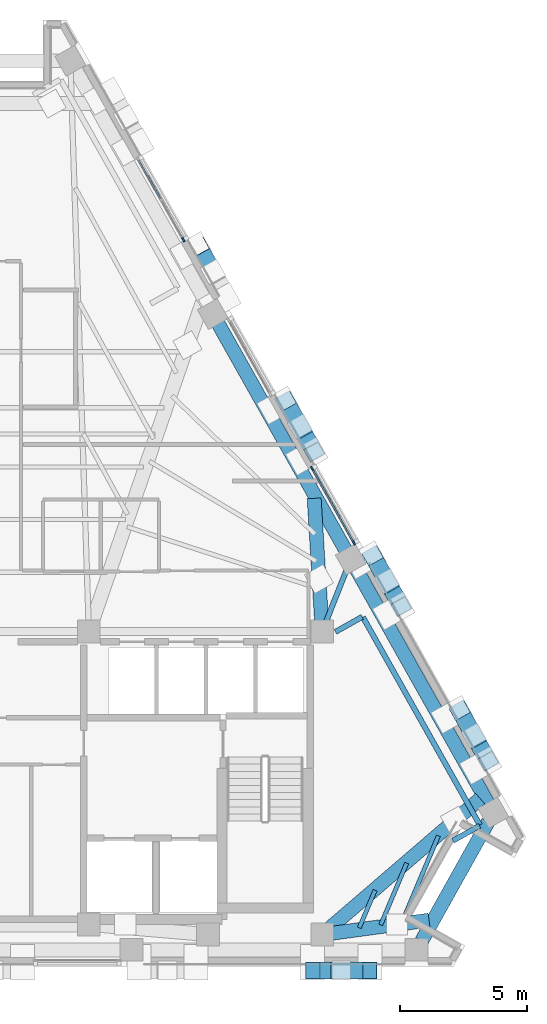
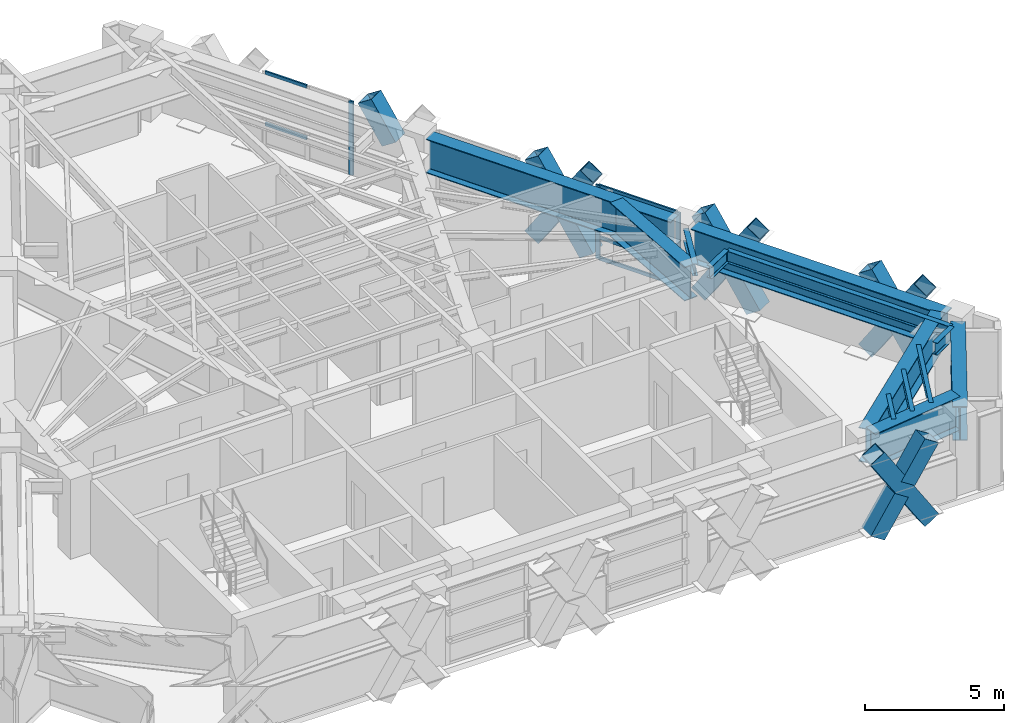
# One storey, part 5 of 13: 21 members, 13 beams, 2 elements without a shape of their own.
"""IFC4 building model written with IfcOpenShell, lengths in metres."""

from ifc_helpers import new_model, si_unit, direction, frame, origin, origin_2d, place, context, subcontext, project, spatial, rectangle, hollow_rectangle, i_section, extrude, material, material_profile, profile_set, type_object, element, aggregate, save


model = new_model("IFC4")

# Units and contexts
model_context = context("Model", 3, precision=1e-05, world=origin(), true_north=direction((0.0, 1.0)))
body_context = subcontext(model_context, "Body", "Model", "MODEL_VIEW")
ifc_project = project(units=[si_unit("LENGTHUNIT", "METRE"), si_unit("AREAUNIT", "SQUARE_METRE"), si_unit("VOLUMEUNIT", "CUBIC_METRE"), si_unit("PLANEANGLEUNIT", "RADIAN"), si_unit("MASSUNIT", "GRAM", prefix="KILO")], contexts=[model_context])

# Site, building, storey
site_placement = place(None, origin())
site = spatial("IfcSite", under=ifc_project, at=site_placement, CompositionType="ELEMENT")
building_placement = place(site_placement, origin())
building = spatial("IfcBuilding", under=site, at=building_placement, Name="Quenlor Broadcast Tower", CompositionType="ELEMENT")
storey_placement = place(building_placement, frame((0.0, 0.0, 225.39990234375)))
storey = spatial("IfcBuildingStorey", under=building, at=storey_placement, Name="L62", CompositionType="ELEMENT", Elevation=225.39990234375)

# Curtain wall, member
ifc_material_1 = material(Name="Architectural Terracotta and Low-E Glazing", Category="masonry")
curtain_wall_type = type_object("IfcCurtainWallType", Name="Unitised Terracotta Curtain Wall System Z4", PredefinedType="NOTDEFINED", material=ifc_material_1)
curtain_wall_1_placement = place(storey_placement, origin())
curtain_wall_1 = element("IfcCurtainWall", 1, at=curtain_wall_1_placement, inside=storey, type_object=curtain_wall_type, Name="L62 Curtain Wall CW4 (L62-NEA-G1)", PredefinedType="NOTDEFINED")
ifc_material_2 = material(Name="Aluminium 6063-T6", Category="aluminium")
ifc_material_profile_1 = material_profile(ifc_material_2, rectangle(XDim=0.068115234375, YDim=0.179931640625, at=origin_2d()))
ifc_profile_set_1 = profile_set([ifc_material_profile_1], Name="Aluminium 6063-T6 MULL68x180")
member_type_1 = type_object("IfcMemberType", Name="CW4 Aluminium Mullion MULL_CW4", PredefinedType="MULLION", material=ifc_profile_set_1)
member_1_placement = place(storey_placement, frame((7.477294921875, 10.64794921875, 0.0), z_axis=(0.0, 0.0, 1.0), x_axis=(0.871576257465, 0.490259959025, 0.0)))
member_1 = element("IfcMember", 2, at=member_1_placement, type_object=member_type_1, Name="CW4 mullion 3", PredefinedType="MULLION", context=body_context, shape_type="SweptSolid", body=[
    extrude(rectangle(XDim=0.068115234375, YDim=0.179931640625, at=origin_2d()), origin(), (0.0, 0.0, 1.0), 3.25),
])

# Curtain wall, members
curtain_wall_2_placement = place(storey_placement, origin())
curtain_wall_2 = element("IfcCurtainWall", 3, at=curtain_wall_2_placement, inside=storey, type_object=curtain_wall_type, Name="L62 Curtain Wall CW4 (L62-NE-G2)", PredefinedType="NOTDEFINED")
member_2_placement = place(storey_placement, frame((12.55126953125, 1.627685546875, 0.0), z_axis=(0.0, 0.0, 1.0), x_axis=(0.871577871382, 0.490257089819, 0.0)))
member_2 = element("IfcMember", 4, at=member_2_placement, type_object=member_type_1, Name="CW4 mullion 1", PredefinedType="MULLION", context=body_context, shape_type="SweptSolid", body=[
    extrude(rectangle(XDim=0.068115234375, YDim=0.179931640625, at=origin_2d()), origin(), (0.0, 0.0, 1.0), 3.25),
])
member_3_placement = place(storey_placement, frame((14.20068359375, -1.3046875, 0.0), z_axis=(0.0, 0.0, 1.0), x_axis=(0.871577871382, 0.490257089819, 0.0)))
member_3 = element("IfcMember", 5, at=member_3_placement, type_object=member_type_1, Name="CW4 mullion 2", PredefinedType="MULLION", context=body_context, shape_type="SweptSolid", body=[
    extrude(rectangle(XDim=0.068115234375, YDim=0.179931640625, at=origin_2d()), origin(), (0.0, 0.0, 1.0), 3.25),
])

# Member
ifc_material_3 = material(Name="Aluminium 6063-T6", Category="aluminium")
ifc_material_profile_2 = material_profile(ifc_material_3, rectangle(XDim=0.068115234375, YDim=0.14990234375, at=origin_2d()))
ifc_profile_set_2 = profile_set([ifc_material_profile_2], Name="Aluminium 6063-T6 TRAN68x150")
member_type_2 = type_object("IfcMemberType", Name="CW4 Aluminium Transom TRAN_CW4", PredefinedType="USERDEFINED", material=ifc_profile_set_2)
member_4_placement = place(storey_placement, frame((5.709716796875, 13.790283203125, 0.9501953125), z_axis=(0.490334029137, -0.871534589027, 0.0), x_axis=(0.871534589027, 0.490334029137, 0.0)))
member_4 = element("IfcMember", 6, at=member_4_placement, type_object=member_type_2, Name="CW4 transom 1.2", ObjectType="TRANSOM", PredefinedType="USERDEFINED", context=body_context, shape_type="SweptSolid", body=[
    extrude(rectangle(XDim=0.068115234375, YDim=0.14990234375, at=origin_2d()), origin(), (0.0, 0.0, 1.0), 1.751708984375),
])

member_5_placement = place(storey_placement, frame((5.709716796875, 13.790283203125, 3.216064453125), z_axis=(0.490334029137, -0.871534589027, 0.0), x_axis=(0.871534589027, 0.490334029137, 0.0)))
member_5 = element("IfcMember", 7, at=member_5_placement, type_object=member_type_2, Name="CW4 transom 1.3", ObjectType="TRANSOM", PredefinedType="USERDEFINED", context=body_context, shape_type="SweptSolid", body=[
    extrude(rectangle(XDim=0.068115234375, YDim=0.14990234375, at=origin_2d()), origin(), (0.0, 0.0, 1.0), 1.751708984375),
])

aggregate(curtain_wall_1, [member_1, member_4, member_5])

member_6_placement = place(storey_placement, frame((12.568115234375, 1.597900390625, 0.0341796875), z_axis=(0.490233108043, -0.871591360546, 0.0), x_axis=(0.871591360546, 0.490233108043, 0.0)))
member_6 = element("IfcMember", 8, at=member_6_placement, type_object=member_type_2, Name="CW4 transom 1.1", ObjectType="TRANSOM", PredefinedType="USERDEFINED", context=body_context, shape_type="SweptSolid", body=[
    extrude(rectangle(XDim=0.068115234375, YDim=0.14990234375, at=origin_2d()), origin(), (0.0, 0.0, 1.0), 3.29638671875),
])

member_7_placement = place(storey_placement, frame((12.568115234375, 1.597900390625, 0.9501953125), z_axis=(0.490233108043, -0.871591360546, 0.0), x_axis=(0.871591360546, 0.490233108043, 0.0)))
member_7 = element("IfcMember", 9, at=member_7_placement, type_object=member_type_2, Name="CW4 transom 1.2", ObjectType="TRANSOM", PredefinedType="USERDEFINED", context=body_context, shape_type="SweptSolid", body=[
    extrude(rectangle(XDim=0.068115234375, YDim=0.14990234375, at=origin_2d()), origin(), (0.0, 0.0, 1.0), 3.29638671875),
])

member_8_placement = place(storey_placement, frame((12.568115234375, 1.597900390625, 3.216064453125), z_axis=(0.490233108043, -0.871591360546, 0.0), x_axis=(0.871591360546, 0.490233108043, 0.0)))
member_8 = element("IfcMember", 10, at=member_8_placement, type_object=member_type_2, Name="CW4 transom 1.3", ObjectType="TRANSOM", PredefinedType="USERDEFINED", context=body_context, shape_type="SweptSolid", body=[
    extrude(rectangle(XDim=0.068115234375, YDim=0.14990234375, at=origin_2d()), origin(), (0.0, 0.0, 1.0), 3.29638671875),
])

aggregate(curtain_wall_2, [member_2, member_3, member_6, member_7, member_8])

# Members
ifc_material_4 = material(Name="Steel S355", Category="steel")
ifc_material_profile_3 = material_profile(ifc_material_4, hollow_rectangle(XDim=0.679931640625, YDim=0.679931640625, WallThickness=0.02490234375, at=origin_2d()))
ifc_profile_set_3 = profile_set([ifc_material_profile_3], Name="Steel S355 RHS680x680x25")
member_type_3 = type_object("IfcMemberType", Name="Perimeter Diagonal Lattice Brace Z3-Z4 Steel S355 RHS680x25", PredefinedType="BRACE", material=ifc_profile_set_3)
member_9_placement = place(storey_placement, frame((14.828857421875, -18.169921875, -0.119873046875), z_axis=(-0.541794306908, 0.0, 0.840511111766), x_axis=(0.0, -1.0, 0.0)))
element("IfcMember", 11, at=member_9_placement, inside=storey, type_object=member_type_3, Name="L62 Perimeter Diamond Lattice S-C1XA", PredefinedType="BRACE", context=body_context, shape_type="SweptSolid", body=[
    extrude(hollow_rectangle(XDim=0.679931640625, YDim=0.679931640625, WallThickness=0.02490234375, at=origin_2d()), origin(), (0.0, 0.0, 1.0), 4.1640625),
])
member_10_placement = place(storey_placement, frame((12.57275390625, -18.169921875, -0.119873046875), z_axis=(0.54184151587, 0.0, 0.840480678945), x_axis=(0.0, 1.0, 0.0)))
element("IfcMember", 12, at=member_10_placement, inside=storey, type_object=member_type_3, Name="L62 Perimeter Diamond Lattice S-C1XB1", PredefinedType="BRACE", context=body_context, shape_type="SweptSolid", body=[
    extrude(hollow_rectangle(XDim=0.679931640625, YDim=0.679931640625, WallThickness=0.02490234375, at=origin_2d()), origin(), (0.0, 0.0, 1.0), 1.83203125),
])
member_11_placement = place(storey_placement, frame((13.836181640625, -18.169921875, 1.840087890625), z_axis=(0.541780832962, 0.0, 0.840519796932), x_axis=(0.0, 1.0, 0.0)))
element("IfcMember", 13, at=member_11_placement, inside=storey, type_object=member_type_3, Name="L62 Perimeter Diamond Lattice S-C1XB2", PredefinedType="BRACE", context=body_context, shape_type="SweptSolid", body=[
    extrude(hollow_rectangle(XDim=0.679931640625, YDim=0.679931640625, WallThickness=0.02490234375, at=origin_2d()), origin(), (0.0, 0.0, 1.0), 1.832275390625),
])
member_12_placement = place(storey_placement, frame((8.57666015625, 9.499267578125, 1.8388671875), z_axis=(-0.269535527865, 0.479130165145, 0.835335192642), x_axis=(-0.871556252289, -0.490295522207, 0.0)))
element("IfcMember", 14, at=member_12_placement, inside=storey, type_object=member_type_3, Name="L62 Perimeter Diamond Lattice NE-C2XB2", PredefinedType="BRACE", context=body_context, shape_type="SweptSolid", body=[
    extrude(hollow_rectangle(XDim=0.679931640625, YDim=0.679931640625, WallThickness=0.02490234375, at=origin_2d()), origin(), (0.0, 0.0, 1.0), 1.844970703125),
])
member_13_placement = place(storey_placement, frame((11.508544921875, 4.287109375, -0.119873046875), z_axis=(0.269493020061, -0.479144022478, 0.835340959047), x_axis=(0.871595351467, 0.490226012469, 0.0)))
element("IfcMember", 15, at=member_13_placement, inside=storey, type_object=member_type_3, Name="L62 Perimeter Diamond Lattice NE-C3XA", PredefinedType="BRACE", context=body_context, shape_type="SweptSolid", body=[
    extrude(hollow_rectangle(XDim=0.679931640625, YDim=0.679931640625, WallThickness=0.02490234375, at=origin_2d()), origin(), (0.0, 0.0, 1.0), 4.18994140625),
])
for number, where, z_axis, x_axis, name in (
    (16, (12.6376953125, 2.279541015625, -0.119873046875), (-0.269535527865, 0.479130165145, 0.835335192642), (-0.871556252289, -0.490295522207, 0.0), "L62 Perimeter Diamond Lattice NE-C3XB1"),
    (17, (12.005859375, 3.403076171875, 1.8388671875), (-0.269535527865, 0.479130165145, 0.835335192642), (-0.871556252289, -0.490295522207, 0.0), "L62 Perimeter Diamond Lattice NE-C3XB2"),
):
    element("IfcMember", number, at=place(storey_placement, frame(where, z_axis=z_axis, x_axis=x_axis)), inside=storey, type_object=member_type_3, Name=name, PredefinedType="BRACE", context=body_context, shape_type="SweptSolid", body=[
        extrude(hollow_rectangle(XDim=0.679931640625, YDim=0.679931640625, WallThickness=0.02490234375, at=origin_2d()), origin(), (0.0, 0.0, 1.0), 1.844970703125),
    ])
member_14_placement = place(storey_placement, frame((14.9375, -1.80908203125, -0.119873046875), z_axis=(0.269547055694, -0.479136497832, 0.835327840559), x_axis=(0.871550060774, 0.49030652817, 0.0)))
element("IfcMember", 18, at=member_14_placement, inside=storey, type_object=member_type_3, Name="L62 Perimeter Diamond Lattice NE-C4XA", PredefinedType="BRACE", context=body_context, shape_type="SweptSolid", body=[
    extrude(hollow_rectangle(XDim=0.679931640625, YDim=0.679931640625, WallThickness=0.02490234375, at=origin_2d()), origin(), (0.0, 0.0, 1.0), 4.18994140625),
])
for number, where, z_axis, x_axis, name in (
    (19, (16.06689453125, -3.816650390625, -0.119873046875), (-0.269535527865, 0.479130165145, 0.835335192642), (-0.871556252289, -0.490295522207, 0.0), "L62 Perimeter Diamond Lattice NE-C4XB1"),
    (20, (15.434814453125, -2.693115234375, 1.8388671875), (-0.269535527865, 0.479130165145, 0.835335192642), (-0.871556252289, -0.490295522207, 0.0), "L62 Perimeter Diamond Lattice NE-C4XB2"),
):
    element("IfcMember", number, at=place(storey_placement, frame(where, z_axis=z_axis, x_axis=x_axis)), inside=storey, type_object=member_type_3, Name=name, PredefinedType="BRACE", context=body_context, shape_type="SweptSolid", body=[
        extrude(hollow_rectangle(XDim=0.679931640625, YDim=0.679931640625, WallThickness=0.02490234375, at=origin_2d()), origin(), (0.0, 0.0, 1.0), 1.844970703125),
    ])
member_15_placement = place(storey_placement, frame((18.36669921875, -7.9052734375, -0.119873046875), z_axis=(0.269547055694, -0.479136497832, 0.835327840559), x_axis=(0.871550060774, 0.49030652817, 0.0)))
element("IfcMember", 21, at=member_15_placement, inside=storey, type_object=member_type_3, Name="L62 Perimeter Diamond Lattice NE-C5XA", PredefinedType="BRACE", context=body_context, shape_type="SweptSolid", body=[
    extrude(hollow_rectangle(XDim=0.679931640625, YDim=0.679931640625, WallThickness=0.02490234375, at=origin_2d()), origin(), (0.0, 0.0, 1.0), 4.18994140625),
])
for number, where, z_axis, x_axis, name in (
    (22, (19.49609375, -9.912841796875, -0.119873046875), (-0.269535527865, 0.479130165145, 0.835335192642), (-0.871556252289, -0.490295522207, 0.0), "L62 Perimeter Diamond Lattice NE-C5XB1"),
    (23, (18.864013671875, -8.789306640625, 1.8388671875), (-0.269535527865, 0.479130165145, 0.835335192642), (-0.871556252289, -0.490295522207, 0.0), "L62 Perimeter Diamond Lattice NE-C5XB2"),
):
    element("IfcMember", number, at=place(storey_placement, frame(where, z_axis=z_axis, x_axis=x_axis)), inside=storey, type_object=member_type_3, Name=name, PredefinedType="BRACE", context=body_context, shape_type="SweptSolid", body=[
        extrude(hollow_rectangle(XDim=0.679931640625, YDim=0.679931640625, WallThickness=0.02490234375, at=origin_2d()), origin(), (0.0, 0.0, 1.0), 1.844970703125),
    ])

# Beams
ifc_material_5 = material(Name="Steel S355", Category="steel")
ifc_material_profile_4 = material_profile(ifc_material_5, i_section(OverallWidth=0.208984375, OverallDepth=0.532958984375, WebThickness=0.01025390625, FlangeThickness=0.015625, FilletRadius=0.013916015625, at=origin_2d()))
ifc_profile_set_4 = profile_set([ifc_material_profile_4], Name="Steel S355 530UB92.4")
beam_type_1 = type_object("IfcBeamType", Name="Perimeter Spandrel Beam Z1 Steel S355 530UB92.4", PredefinedType="SPANDREL", material=ifc_profile_set_4)
for number, where, z_axis, x_axis, name in (
    (24, (13.472412109375, -4.81494140625, 2.983642578125), (0.871575537125, 0.490261239633, 0.0), (-0.490261239633, 0.871575537125, 0.0), "L62 Lattice Sill Radial Tie NEB1"),
    (25, (18.104736328125, -13.050537109375, 2.983642578125), (0.871575537125, 0.490261239633, 0.0), (-0.490261239633, 0.871575537125, 0.0), "L62 Lattice Sill Radial Tie NEB2"),
):
    element("IfcBeam", number, at=place(storey_placement, frame(where, z_axis=z_axis, x_axis=x_axis)), inside=storey, type_object=beam_type_1, Name=name, PredefinedType="SPANDREL", context=body_context, shape_type="SweptSolid", body=[
        extrude(i_section(OverallWidth=0.208984375, OverallDepth=0.532958984375, WebThickness=0.01025390625, FlangeThickness=0.015625, FilletRadius=0.013916015625, at=origin_2d()), origin(), (0.0, 0.0, 1.0), 1.210205078125),
    ])
beam_1_placement = place(storey_placement, frame((14.55419921875, -4.229248046875, 2.983642578125), z_axis=(0.490242760941, -0.871585931131, 0.0), x_axis=(0.871585931131, 0.490242760941, 0.0)))
element("IfcBeam", 26, at=beam_1_placement, inside=storey, type_object=beam_type_1, Name="L62 Lattice Sill Girder NEB", PredefinedType="SPANDREL", context=body_context, shape_type="SweptSolid", body=[
    extrude(i_section(OverallWidth=0.208984375, OverallDepth=0.532958984375, WebThickness=0.01025390625, FlangeThickness=0.015625, FilletRadius=0.013916015625, at=origin_2d()), origin(), (0.0, 0.0, 1.0), 9.4091796875),
])
ifc_material_6 = material(Name="Steel S355", Category="steel")
ifc_material_profile_5 = material_profile(ifc_material_6, i_section(OverallWidth=0.166015625, OverallDepth=0.30712890625, WebThickness=0.006591796875, FlangeThickness=0.01171875, FilletRadius=0.011474609375, at=origin_2d()))
ifc_profile_set_5 = profile_set([ifc_material_profile_5], Name="Steel S355 310UB46.2")
beam_type_2 = type_object("IfcBeamType", Name="Tower Composite Joist Z4-Z5 Steel S355 310UB46.2", PredefinedType="JOIST", material=ifc_profile_set_5)
beam_2_placement = place(storey_placement, frame((14.414306640625, -16.481689453125, 3.096435546875), z_axis=(0.388226817564, 0.92156385461, 0.0), x_axis=(-0.92156385461, 0.388226817564, 0.0)))
element("IfcBeam", 27, at=beam_2_placement, inside=storey, type_object=beam_type_2, Name="L62 Secondary Composite Joist 22", PredefinedType="JOIST", context=body_context, shape_type="SweptSolid", body=[
    extrude(i_section(OverallWidth=0.166015625, OverallDepth=0.30712890625, WebThickness=0.006591796875, FlangeThickness=0.01171875, FilletRadius=0.011474609375, at=origin_2d()), origin(), (0.0, 0.0, 1.0), 1.606689453125),
])
beam_3_placement = place(storey_placement, frame((15.257568359375, -16.3671875, 3.096435546875), z_axis=(0.388254982909, 0.921551988901, 0.0), x_axis=(-0.921551988901, 0.388254982909, 0.0)))
element("IfcBeam", 28, at=beam_3_placement, inside=storey, type_object=beam_type_2, Name="L62 Secondary Composite Joist 23", PredefinedType="JOIST", context=body_context, shape_type="SweptSolid", body=[
    extrude(i_section(OverallWidth=0.166015625, OverallDepth=0.30712890625, WebThickness=0.006591796875, FlangeThickness=0.01171875, FilletRadius=0.011474609375, at=origin_2d()), origin(), (0.0, 0.0, 1.0), 2.64599609375),
])
beam_4_placement = place(storey_placement, frame((16.1005859375, -16.2529296875, 3.096435546875), z_axis=(0.388267262262, 0.921546815445, 0.0), x_axis=(-0.921546815445, 0.388267262262, 0.0)))
element("IfcBeam", 29, at=beam_4_placement, inside=storey, type_object=beam_type_2, Name="L62 Secondary Composite Joist 24", PredefinedType="JOIST", context=body_context, shape_type="SweptSolid", body=[
    extrude(i_section(OverallWidth=0.166015625, OverallDepth=0.30712890625, WebThickness=0.006591796875, FlangeThickness=0.01171875, FilletRadius=0.011474609375, at=origin_2d()), origin(), (0.0, 0.0, 1.0), 3.685302734375),
])
ifc_material_7 = material(Name="Steel S355", Category="steel")
ifc_material_profile_6 = material_profile(ifc_material_7, i_section(OverallWidth=0.208984375, OverallDepth=0.5283203125, WebThickness=0.009521484375, FlangeThickness=0.01318359375, FilletRadius=0.013916015625, at=origin_2d()))
ifc_profile_set_6 = profile_set([ifc_material_profile_6], Name="Steel S355 530UB82.0")
beam_type_3 = type_object("IfcBeamType", Name="Tower Primary Floor Beam Z4 Steel S355 530UB82.0", PredefinedType="BEAM", material=ifc_profile_set_6)
beam_5_placement = place(storey_placement, frame((13.926513671875, -2.33349609375, 2.986083984375), z_axis=(-0.368110359783, -0.92978210513, 0.0), x_axis=(0.92978210513, -0.368110359783, 0.0)))
element("IfcBeam", 30, at=beam_5_placement, inside=storey, type_object=beam_type_3, Name="L62 Primary Radial Beam NE2", PredefinedType="BEAM", context=body_context, shape_type="SweptSolid", body=[
    extrude(i_section(OverallWidth=0.208984375, OverallDepth=0.5283203125, WebThickness=0.009521484375, FlangeThickness=0.01318359375, FilletRadius=0.013916015625, at=origin_2d()), origin(), (0.0, 0.0, 1.0), 2.27294921875),
])
ifc_material_8 = material(Name="Steel S355", Category="steel")
ifc_material_profile_7 = material_profile(ifc_material_8, i_section(OverallWidth=0.550048828125, OverallDepth=1.5, WebThickness=0.02197265625, FlangeThickness=0.034912109375, FilletRadius=0.01806640625, at=origin_2d()))
ifc_profile_set_7 = profile_set([ifc_material_profile_7], Name="Steel S355 1500TG510")
beam_type_4 = type_object("IfcBeamType", Name="Zone Setback Transfer Girder Steel S355 1500", PredefinedType="BEAM", material=ifc_profile_set_7)
beam_6_placement = place(storey_placement, frame((16.875732421875, -16.991943359375, 2.5), z_axis=(0.487647250206, 0.8730407547, 0.0), x_axis=(-0.8730407547, 0.487647250206, 0.0)))
element("IfcBeam", 31, at=beam_6_placement, inside=storey, type_object=beam_type_4, Name="L62 Spandrel Beam S4-NE1", PredefinedType="BEAM", context=body_context, shape_type="SweptSolid", body=[
    extrude(i_section(OverallWidth=0.550048828125, OverallDepth=1.5, WebThickness=0.02197265625, FlangeThickness=0.034912109375, FilletRadius=0.01806640625, at=origin_2d()), origin(), (0.0, 0.0, 1.0), 5.37451171875),
])
beam_7_placement = place(storey_placement, frame((19.49560546875, -11.58447265625, 2.5), z_axis=(-0.490272131974, 0.871569410093, 0.0), x_axis=(-0.871569410093, -0.490272131974, 0.0)))
element("IfcBeam", 32, at=beam_7_placement, inside=storey, type_object=beam_type_4, Name="L62 Spandrel Beam NE1-NE2", PredefinedType="BEAM", context=body_context, shape_type="SweptSolid", body=[
    extrude(i_section(OverallWidth=0.550048828125, OverallDepth=1.5, WebThickness=0.02197265625, FlangeThickness=0.034912109375, FilletRadius=0.01806640625, at=origin_2d()), origin(), (0.0, 0.0, 1.0), 10.6416015625),
])
beam_8_placement = place(storey_placement, frame((13.87646484375, -1.594970703125, 2.5), z_axis=(-0.490263496537, 0.871574267612, 0.0), x_axis=(-0.871574267612, -0.490263496537, 0.0)))
element("IfcBeam", 33, at=beam_8_placement, inside=storey, type_object=beam_type_4, Name="L62 Spandrel Beam NE2-NE3", PredefinedType="BEAM", context=body_context, shape_type="SweptSolid", body=[
    extrude(i_section(OverallWidth=0.550048828125, OverallDepth=1.5, WebThickness=0.02197265625, FlangeThickness=0.034912109375, FilletRadius=0.01806640625, at=origin_2d()), origin(), (0.0, 0.0, 1.0), 10.271728515625),
])
beam_9_placement = place(storey_placement, frame((13.326416015625, -16.698974609375, 2.5), z_axis=(0.990918147454, 0.134466445801, 0.0), x_axis=(-0.134466445801, 0.990918147454, 0.0)))
element("IfcBeam", 34, at=beam_9_placement, inside=storey, type_object=beam_type_4, Name="L62 Setback Transfer Girder S4", PredefinedType="BEAM", context=body_context, shape_type="SweptSolid", body=[
    extrude(i_section(OverallWidth=0.550048828125, OverallDepth=1.5, WebThickness=0.02197265625, FlangeThickness=0.034912109375, FilletRadius=0.01806640625, at=origin_2d()), origin(), (0.0, 0.0, 1.0), 3.87451171875),
])
beam_10_placement = place(storey_placement, frame((13.238037109375, -16.502197265625, 2.5), z_axis=(0.758167649058, 0.652059672056, 0.0), x_axis=(-0.652059672056, 0.758167649058, 0.0)))
element("IfcBeam", 35, at=beam_10_placement, inside=storey, type_object=beam_type_4, Name="L62 Setback Transfer Girder NE1", PredefinedType="BEAM", context=body_context, shape_type="SweptSolid", body=[
    extrude(i_section(OverallWidth=0.550048828125, OverallDepth=1.5, WebThickness=0.02197265625, FlangeThickness=0.034912109375, FilletRadius=0.01806640625, at=origin_2d()), origin(), (0.0, 0.0, 1.0), 7.84130859375),
])
beam_11_placement = place(storey_placement, frame((12.92724609375, -4.420654296875, 2.5), z_axis=(-0.059965046968, 0.99820047743, 0.0), x_axis=(-0.99820047743, -0.059965046968, 0.0)))
element("IfcBeam", 36, at=beam_11_placement, inside=storey, type_object=beam_type_4, Name="L62 Setback Transfer Girder NE2", PredefinedType="BEAM", context=body_context, shape_type="SweptSolid", body=[
    extrude(i_section(OverallWidth=0.550048828125, OverallDepth=1.5, WebThickness=0.02197265625, FlangeThickness=0.034912109375, FilletRadius=0.01806640625, at=origin_2d()), origin(), (0.0, 0.0, 1.0), 4.881591796875),
])

save(model, "model.ifc")
